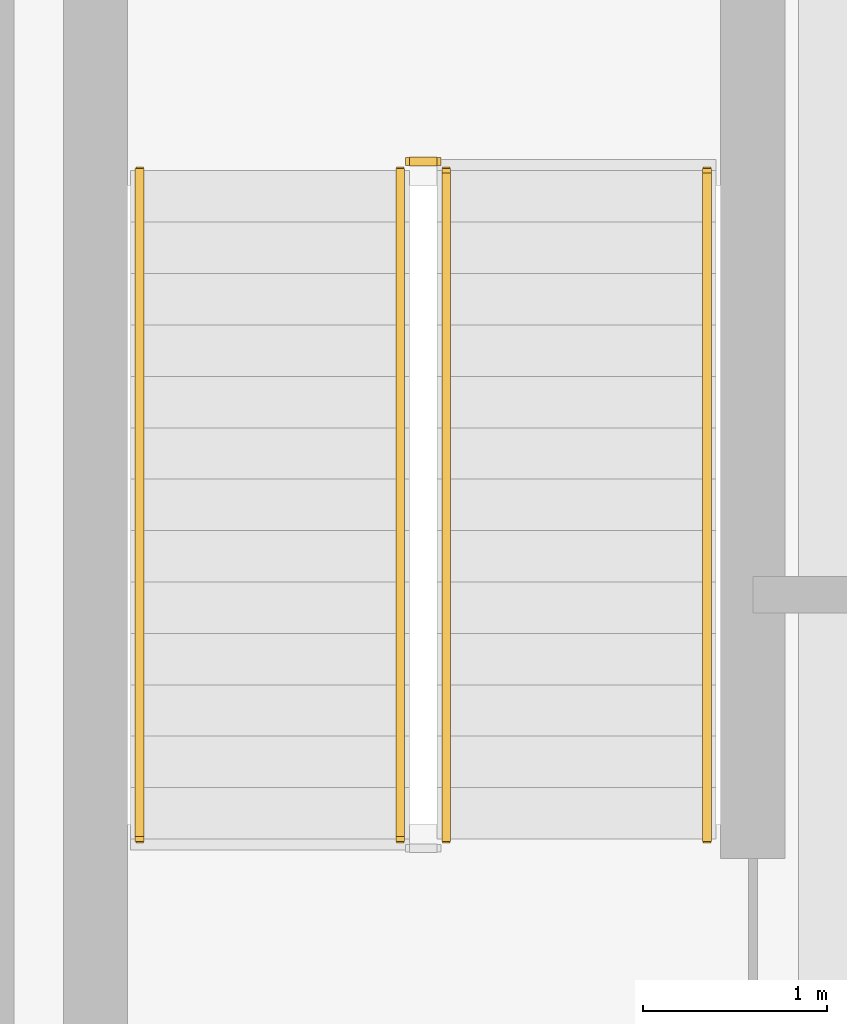
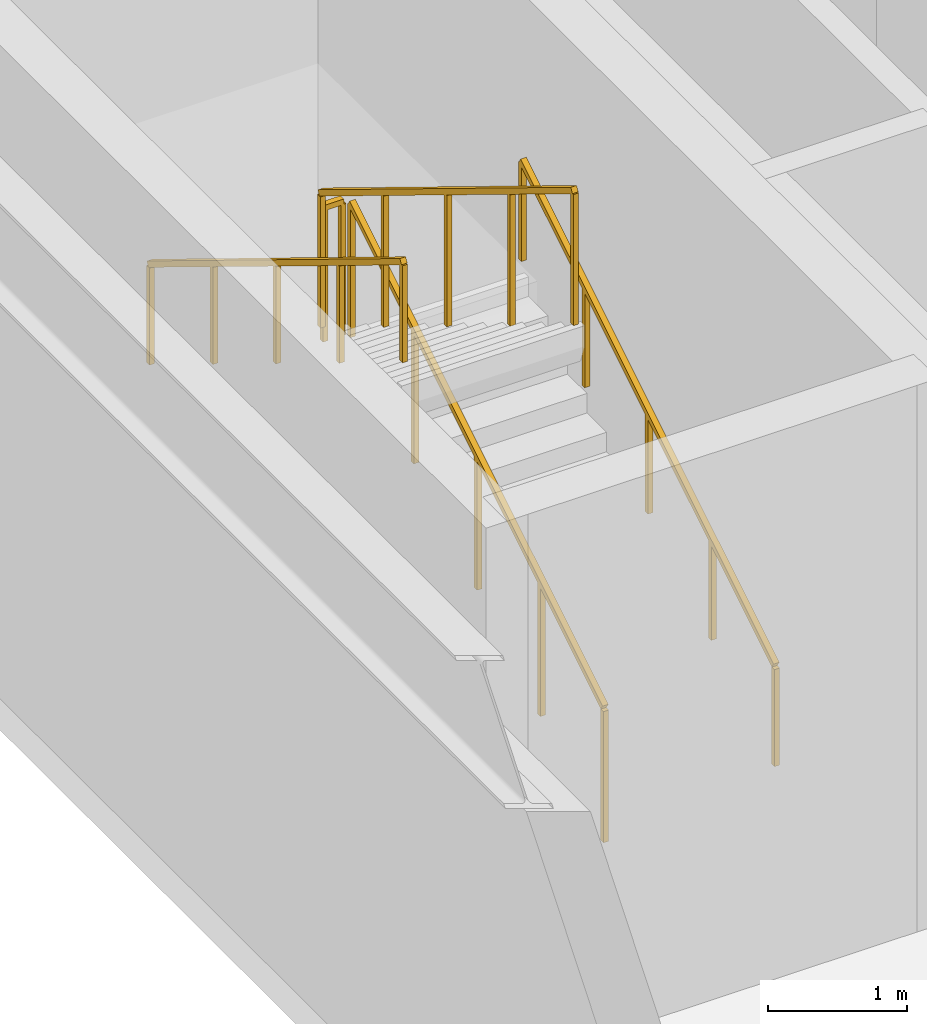
# One storey, part 11 of 11: 5 railings.
"""IFC4 building model written with IfcOpenShell, lengths in metres."""

from ifc_helpers import new_model, si_unit, direction, frame, origin, origin_2d, place, context, subcontext, project, spatial, rectangle, extrude, material, type_object, element, save


model = new_model("IFC4")

# Units and contexts
model_context = context("Model", 3, precision=1e-05, world=origin(), true_north=direction((0.0, 1.0)))
body_context = subcontext(model_context, "Body", "Model", "MODEL_VIEW")
ifc_project = project(units=[si_unit("LENGTHUNIT", "METRE"), si_unit("AREAUNIT", "SQUARE_METRE"), si_unit("VOLUMEUNIT", "CUBIC_METRE"), si_unit("PLANEANGLEUNIT", "RADIAN"), si_unit("MASSUNIT", "GRAM", prefix="KILO")], contexts=[model_context])

# Site, building, storey
site_placement = place(None, origin())
site = spatial("IfcSite", under=ifc_project, at=site_placement, CompositionType="ELEMENT")
building_placement = place(site_placement, origin())
building = spatial("IfcBuilding", under=site, at=building_placement, Name="Orvandelia Arch Residences", CompositionType="ELEMENT")
storey_placement = place(building_placement, frame((0.0, 0.0, 5.199951171875)))
storey = spatial("IfcBuildingStorey", under=building, at=storey_placement, Name="L01", CompositionType="ELEMENT", Elevation=5.199951171875)

# Railings
ifc_material = material(Name="Brushed Stainless Steel 304", Category="steel")
railing_type_1 = type_object("IfcRailingType", Name="RL-STAIR-GD1120", PredefinedType="GUARDRAIL", material=ifc_material)
railing_1_placement = place(storey_placement, frame((45.929931640625, 37.77001953125, 0.17138671875)))
element("IfcRailing", 1, at=railing_1_placement, inside=storey, type_object=railing_type_1, Name="L01 ST-3 stair guard 1", PredefinedType="GUARDRAIL", context=body_context, shape_type="SweptSolid", body=[
    extrude(rectangle(XDim=0.048095703125, YDim=0.048095703125, at=origin_2d()), frame((0.0, 0.0, 1.17578125), z_axis=(0.0, 0.852824790078, 0.522197163366), x_axis=(-1.0, 0.0, 0.0)), (0.0, 0.0, 1.0), 4.26806640625),
    extrude(rectangle(XDim=0.0419921875, YDim=0.0419921875, at=origin_2d()), origin(), (0.0, 0.0, 1.0), 1.15185546875),
    extrude(rectangle(XDim=0.0419921875, YDim=0.0419921875, at=origin_2d()), frame((0.0, 0.909912109375, 0.55712890625)), (0.0, 0.0, 1.0), 1.15185546875),
    extrude(rectangle(XDim=0.0419921875, YDim=0.0419921875, at=origin_2d()), frame((0.0, 1.81982421875, 1.1142578125)), (0.0, 0.0, 1.0), 1.15185546875),
    extrude(rectangle(XDim=0.0419921875, YDim=0.0419921875, at=origin_2d()), frame((0.0, 2.72998046875, 1.671630859375)), (0.0, 0.0, 1.0), 1.15185546875),
    extrude(rectangle(XDim=0.0419921875, YDim=0.0419921875, at=origin_2d()), frame((0.0, 3.639892578125, 2.228759765625)), (0.0, 0.0, 1.0), 1.15185546875),
])
railing_2_placement = place(storey_placement, frame((45.8798828125, 41.4599609375, 2.400146484375)))
element("IfcRailing", 2, at=railing_2_placement, inside=storey, type_object=railing_type_1, Name="L01 ST-3 stair guard 2", PredefinedType="GUARDRAIL", context=body_context, shape_type="SweptSolid", body=[
    extrude(rectangle(XDim=0.048095703125, YDim=0.048095703125, at=origin_2d()), frame((0.0, 0.0, 1.17578125), z_axis=(-1.0, 0.0, 0.0), x_axis=(0.0, -1.0, 0.0)), (0.0, 0.0, 1.0), 0.14990234375),
    extrude(rectangle(XDim=0.0419921875, YDim=0.0419921875, at=origin_2d()), origin(), (0.0, 0.0, 1.0), 1.15185546875),
    extrude(rectangle(XDim=0.0419921875, YDim=0.0419921875, at=origin_2d()), frame((-0.14990234375, 0.0, 0.0)), (0.0, 0.0, 1.0), 1.15185546875),
])
railing_3_placement = place(storey_placement, frame((45.679931640625, 41.409912109375, 2.571533203125)))
element("IfcRailing", 3, at=railing_3_placement, inside=storey, type_object=railing_type_1, Name="L01 ST-3 stair guard 3", PredefinedType="GUARDRAIL", context=body_context, shape_type="SweptSolid", body=[
    extrude(rectangle(XDim=0.048095703125, YDim=0.048095703125, at=origin_2d()), frame((0.0, 0.0, 1.17578125), z_axis=(0.0, -0.852850264322, 0.5221555579), x_axis=(1.0, 0.0, 0.0)), (0.0, 0.0, 1.0), 4.267822265625),
    extrude(rectangle(XDim=0.0419921875, YDim=0.0419921875, at=origin_2d()), origin(), (0.0, 0.0, 1.0), 1.15185546875),
    extrude(rectangle(XDim=0.0419921875, YDim=0.0419921875, at=origin_2d()), frame((0.0, -0.909912109375, 0.55712890625)), (0.0, 0.0, 1.0), 1.15185546875),
    extrude(rectangle(XDim=0.0419921875, YDim=0.0419921875, at=origin_2d()), frame((0.0, -1.81982421875, 1.1142578125)), (0.0, 0.0, 1.0), 1.15185546875),
    extrude(rectangle(XDim=0.0419921875, YDim=0.0419921875, at=origin_2d()), frame((0.0, -2.72998046875, 1.67138671875)), (0.0, 0.0, 1.0), 1.15185546875),
    extrude(rectangle(XDim=0.0419921875, YDim=0.0419921875, at=origin_2d()), frame((0.0, -3.639892578125, 2.228515625)), (0.0, 0.0, 1.0), 1.15185546875),
])
railing_type_2 = type_object("IfcRailingType", Name="RL-STAIR-HR920", PredefinedType="HANDRAIL", material=ifc_material)
railing_4_placement = place(storey_placement, frame((47.35009765625, 37.77001953125, 0.343017578125)))
element("IfcRailing", 4, at=railing_4_placement, inside=storey, type_object=railing_type_2, Name="L01 ST-3 stair handrail 1", PredefinedType="HANDRAIL", context=body_context, shape_type="SweptSolid", body=[
    extrude(rectangle(XDim=0.048095703125, YDim=0.048095703125, at=origin_2d()), frame((0.0, 0.0, 0.8759765625), z_axis=(0.0, 0.852850264322, 0.5221555579), x_axis=(-1.0, 0.0, 0.0)), (0.0, 0.0, 1.0), 4.267822265625),
    extrude(rectangle(XDim=0.0419921875, YDim=0.0419921875, at=origin_2d()), origin(), (0.0, 0.0, 1.0), 0.851806640625),
    extrude(rectangle(XDim=0.0419921875, YDim=0.0419921875, at=origin_2d()), frame((0.0, 0.909912109375, 0.55712890625)), (0.0, 0.0, 1.0), 0.851806640625),
    extrude(rectangle(XDim=0.0419921875, YDim=0.0419921875, at=origin_2d()), frame((0.0, 1.81982421875, 1.1142578125)), (0.0, 0.0, 1.0), 0.851806640625),
    extrude(rectangle(XDim=0.0419921875, YDim=0.0419921875, at=origin_2d()), frame((0.0, 2.72998046875, 1.67138671875)), (0.0, 0.0, 1.0), 0.851806640625),
    extrude(rectangle(XDim=0.0419921875, YDim=0.0419921875, at=origin_2d()), frame((0.0, 3.639892578125, 2.228515625)), (0.0, 0.0, 1.0), 0.851806640625),
])
railing_5_placement = place(storey_placement, frame((44.260009765625, 41.409912109375, 2.742919921875)))
element("IfcRailing", 5, at=railing_5_placement, inside=storey, type_object=railing_type_2, Name="L01 ST-3 stair handrail 2", PredefinedType="HANDRAIL", context=body_context, shape_type="SweptSolid", body=[
    extrude(rectangle(XDim=0.048095703125, YDim=0.048095703125, at=origin_2d()), frame((0.0, 0.0, 0.8759765625), z_axis=(0.0, -0.852850264322, 0.5221555579), x_axis=(1.0, 0.0, 0.0)), (0.0, 0.0, 1.0), 4.267822265625),
    extrude(rectangle(XDim=0.0419921875, YDim=0.0419921875, at=origin_2d()), origin(), (0.0, 0.0, 1.0), 0.851806640625),
    extrude(rectangle(XDim=0.0419921875, YDim=0.0419921875, at=origin_2d()), frame((0.0, -0.909912109375, 0.55712890625)), (0.0, 0.0, 1.0), 0.851806640625),
    extrude(rectangle(XDim=0.0419921875, YDim=0.0419921875, at=origin_2d()), frame((0.0, -1.81982421875, 1.1142578125)), (0.0, 0.0, 1.0), 0.851806640625),
    extrude(rectangle(XDim=0.0419921875, YDim=0.0419921875, at=origin_2d()), frame((0.0, -2.72998046875, 1.67138671875)), (0.0, 0.0, 1.0), 0.851806640625),
    extrude(rectangle(XDim=0.0419921875, YDim=0.0419921875, at=origin_2d()), frame((0.0, -3.639892578125, 2.228515625)), (0.0, 0.0, 1.0), 0.851806640625),
])

save(model, "model.ifc")
